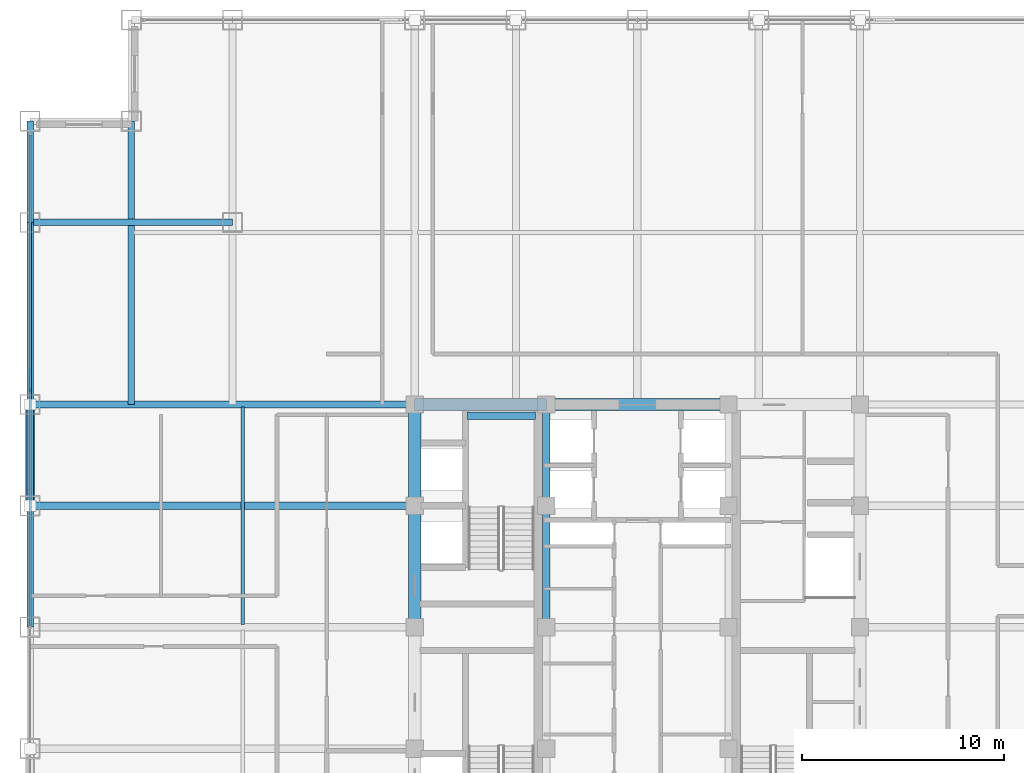
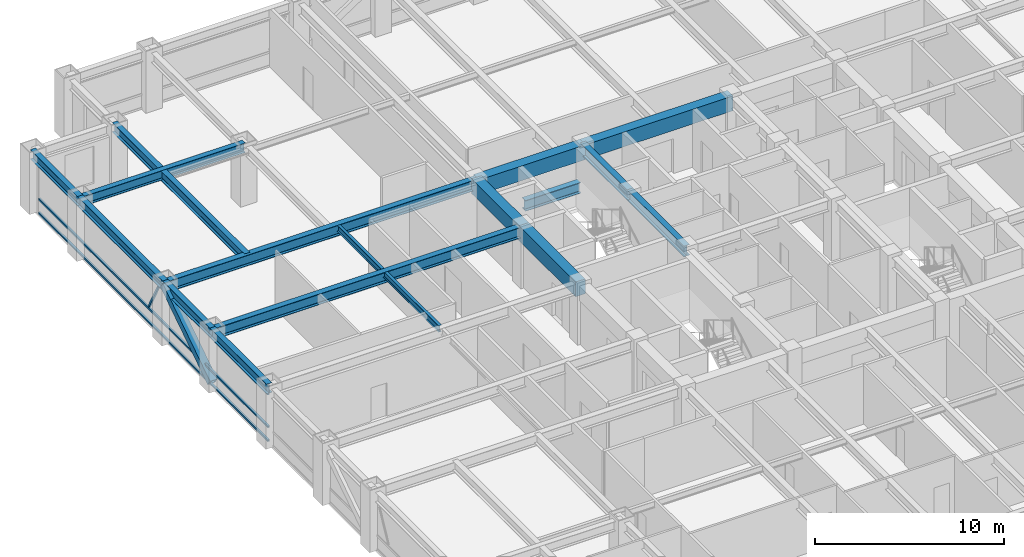
# One storey, part 11 of 24: 16 beams, 5 members, 1 element without a shape of its own.
"""IFC4 building model written with IfcOpenShell, lengths in metres."""

import ifcopenshell
import ifcopenshell.guid

model = None  # the IFC model being written
_history = None  # IfcOwnerHistory: only IFC2X3 demands one
_inside = {}  # id of a spatial element -> (the spatial element, [elements in it])
_under = {}  # id of a project, library or spatial element -> (it, [spatial elements below it])
_declared = {}  # id of a project -> (the project, [libraries it declares])
_typed = {}  # id of a type object -> (the type object, [elements of that type])
_made_of = {}  # id of a material, layer set ... -> (it, [elements and type objects made of it])


def new_model(schema):
    """Start an empty IFC model of exactly this schema.

    Asked for "IFC4X3", IfcOpenShell would pick the latest addendum, in which some entities
    have other attributes; the version numbers below select the first issue.
    IFC2X3 requires an IfcOwnerHistory on every rooted entity: one is made here for all.
    """
    global model, _history
    if schema == "IFC4X3":
        model = ifcopenshell.file(schema_version=(4, 3, 0, 0))
    else:
        model = ifcopenshell.file(schema=schema)
    _inside.clear()
    _under.clear()
    _declared.clear()
    _typed.clear()
    _made_of.clear()
    _history = None
    if model.schema == "IFC2X3":
        org = make("IfcOrganization", Name="unknown")
        user = make(
            "IfcPersonAndOrganization",
            ThePerson=make("IfcPerson", FamilyName="unknown"),
            TheOrganization=org,
        )
        app = make(
            "IfcApplication",
            ApplicationDeveloper=org,
            Version="unknown",
            ApplicationFullName="unknown",
            ApplicationIdentifier="unknown",
        )
        _history = make(
            "IfcOwnerHistory",
            OwningUser=user,
            OwningApplication=app,
            ChangeAction="ADDED",
            CreationDate=0,
        )
    return model


def make(cls, **values):
    """One entity of the class cls with the attributes given. An attribute that is None is left unset."""
    return model.create_entity(
        cls, **{name: value for name, value in values.items() if value is not None}
    )


def rooted(cls, **values):
    """An entity with a GlobalId (a new one), such as an element, a storey or a relation."""
    return make(cls, GlobalId=ifcopenshell.guid.new(), OwnerHistory=_history, **values)


def si_unit(unit_type, name, prefix=None):
    """IfcSIUnit, for example si_unit("LENGTHUNIT", "METRE", prefix="MILLI")."""
    return make("IfcSIUnit", UnitType=unit_type, Prefix=prefix, Name=name)


def assignment(units):
    """IfcUnitAssignment: the units of a project."""
    return None if units is None else make("IfcUnitAssignment", Units=units)


def point(xyz):
    """IfcCartesianPoint."""
    return None if xyz is None else make("IfcCartesianPoint", Coordinates=xyz)


def direction(xyz):
    """IfcDirection."""
    return None if xyz is None else make("IfcDirection", DirectionRatios=xyz)


def frame(location, z_axis=None, x_axis=None):
    """IfcAxis2Placement3D, a coordinate frame: its origin and axes. An axis left out is left unset."""
    return make(
        "IfcAxis2Placement3D",
        Location=point(location),
        Axis=direction(z_axis),
        RefDirection=direction(x_axis),
    )


def frame_2d(location, x_axis=None):
    """IfcAxis2Placement2D, a coordinate frame in the plane: its origin and x axis."""
    return make(
        "IfcAxis2Placement2D", Location=point(location), RefDirection=direction(x_axis)
    )


def origin():
    """The frame at (0, 0, 0) with its axes left unset."""
    return frame((0.0, 0.0, 0.0))


def origin_2d():
    """The frame at (0, 0) in the plane with its x axis left unset."""
    return frame_2d((0.0, 0.0))


def place(relative_to, where):
    """IfcLocalPlacement: puts the frame where relative to a parent placement (None: the world)."""
    return make(
        "IfcLocalPlacement", PlacementRelTo=relative_to, RelativePlacement=where
    )


def context(
    kind, dimensions, precision=None, world=None, true_north=None, identifier=None
):
    """IfcGeometricRepresentationContext, for example the 3D "Model" context."""
    return make(
        "IfcGeometricRepresentationContext",
        ContextIdentifier=identifier,
        ContextType=kind,
        CoordinateSpaceDimension=dimensions,
        Precision=precision,
        WorldCoordinateSystem=world,
        TrueNorth=true_north,
    )


def subcontext(parent, identifier, kind, view, scale=None):
    """IfcGeometricRepresentationSubContext, for example "Body" below "Model"."""
    return make(
        "IfcGeometricRepresentationSubContext",
        ContextIdentifier=identifier,
        ContextType=kind,
        ParentContext=parent,
        TargetScale=scale,
        TargetView=view,
    )


def project(units=None, contexts=None):
    """IfcProject with its units and contexts."""
    return rooted(
        "IfcProject",
        Name="project",
        RepresentationContexts=contexts,
        UnitsInContext=assignment(units),
    )


def spatial(cls, under=None, at=None, **own):
    """A site, building, storey or space (cls), placed at a placement, below another one or the project."""
    s = rooted(cls, ObjectPlacement=at, **own)
    if under is not None:
        _under.setdefault(under.id(), (under, []))[1].append(s)
    return s


def profile(cls, at=None, kind="AREA", **sizes):
    """A parametric profile (cls). Its sizes go by their IFC names, for example OverallWidth=200.0."""
    return make(cls, ProfileType=kind, Position=at, **sizes)


def rectangle(**sizes):
    """IfcRectangleProfileDef."""
    return profile("IfcRectangleProfileDef", **sizes)


def hollow_rectangle(**sizes):
    """IfcRectangleHollowProfileDef."""
    return profile("IfcRectangleHollowProfileDef", **sizes)


def i_section(**sizes):
    """IfcIShapeProfileDef."""
    return profile("IfcIShapeProfileDef", **sizes)


def extrude(swept, where, along, depth):
    """IfcExtrudedAreaSolid: the profile swept, set in the frame where, extruded along a direction by depth."""
    return make(
        "IfcExtrudedAreaSolid",
        SweptArea=swept,
        Position=where,
        ExtrudedDirection=direction(along),
        Depth=depth,
    )


def shape(context_of_items, identifier, shape_type, items):
    """IfcShapeRepresentation: the items that make up one representation, for example the "Body"."""
    return make(
        "IfcShapeRepresentation",
        ContextOfItems=context_of_items,
        RepresentationIdentifier=identifier,
        RepresentationType=shape_type,
        Items=items,
    )


def source(mapping_origin, context_of_items, identifier, shape_type, items):
    """IfcRepresentationMap: a shape defined once, which mapped items show again and again."""
    return make(
        "IfcRepresentationMap",
        MappingOrigin=mapping_origin,
        MappedRepresentation=shape(context_of_items, identifier, shape_type, items),
    )


def transform(
    local_origin,
    x_axis=None,
    y_axis=None,
    z_axis=None,
    scale=None,
    scale2=None,
    scale3=None,
    uniform=True,
):
    """IfcCartesianTransformationOperator3D, or its non-uniform kind. x_axis, y_axis, z_axis: its Axis1, 2, 3."""
    if uniform:
        return make(
            "IfcCartesianTransformationOperator3D",
            Axis1=direction(x_axis),
            Axis2=direction(y_axis),
            LocalOrigin=point(local_origin),
            Scale=scale,
            Axis3=direction(z_axis),
        )
    return make(
        "IfcCartesianTransformationOperator3DnonUniform",
        Axis1=direction(x_axis),
        Axis2=direction(y_axis),
        LocalOrigin=point(local_origin),
        Scale=scale,
        Axis3=direction(z_axis),
        Scale2=scale2,
        Scale3=scale3,
    )


def mapped(mapping_source, mapping_target):
    """IfcMappedItem: shows the shape of a source again, moved by a transform."""
    return make(
        "IfcMappedItem", MappingSource=mapping_source, MappingTarget=mapping_target
    )


def material(Name=None, Category=None):
    """IfcMaterial."""
    return make("IfcMaterial", Name=Name, Category=Category)


def material_profile(
    of_material, cross_section, Name=None, Category=None, Priority=None
):
    """IfcMaterialProfile: a cross section and its material."""
    return make(
        "IfcMaterialProfile",
        Name=Name,
        Material=of_material,
        Profile=cross_section,
        Priority=Priority,
        Category=Category,
    )


def profile_set(profiles, Name=None, composite=None):
    """IfcMaterialProfileSet."""
    return make(
        "IfcMaterialProfileSet",
        Name=Name,
        MaterialProfiles=profiles,
        CompositeProfile=composite,
    )


def made_of(thing, what):
    """Note that an element or type object is made of a material, layer set ...; save() writes the relation."""
    if what is not None:
        _made_of.setdefault(what.id(), (what, []))[1].append(thing)
    return thing


def type_object(cls, material=None, **own):
    """A type object (cls), such as IfcWallType, which elements share."""
    return made_of(rooted(cls, **own), material)


def element(
    cls,
    number,
    at=None,
    inside=None,
    cuts=None,
    type_object=None,
    material=None,
    context=None,
    identifier="Body",
    shape_type=None,
    held_by="IfcProductDefinitionShape",
    body=None,
    shapes=None,
    **own,
):
    """One element of the class cls, such as IfcWall. Its Tag is "e" and its number.

    at: its placement. inside: the storey or other place that contains it. cuts: it is an
    opening in that element (IfcRelVoidsElement). A single representation is given by context,
    identifier, shape_type and body (its items); several are given by shapes. held_by: the class
    of the entity that holds the representations. save() writes the other relations.
    """
    e = rooted(cls, Tag="e%d" % number, ObjectPlacement=at, **own)
    if body is not None:
        shapes = [shape(context, identifier, shape_type, body)]
    if shapes is not None:
        e.Representation = make(held_by, Representations=shapes)
    if inside is not None:
        _inside.setdefault(inside.id(), (inside, []))[1].append(e)
    if cuts is not None:
        rooted(
            "IfcRelVoidsElement", RelatingBuildingElement=cuts, RelatedOpeningElement=e
        )
    if type_object is not None:
        _typed.setdefault(type_object.id(), (type_object, []))[1].append(e)
    return made_of(e, material)


def aggregate(whole, parts):
    """IfcRelAggregates: a whole, such as a stair, and the parts it consists of."""
    return rooted("IfcRelAggregates", RelatingObject=whole, RelatedObjects=parts)


def save(model, path):
    """Write the relations noted so far, then the file.

    IfcRelAggregates (storeys below a building ...), IfcRelContainedInSpatialStructure (elements
    in a storey), IfcRelDefinesByType, IfcRelAssociatesMaterial and IfcRelDeclares: one each for
    every whole, place, type object, material and project.
    """
    for whole, parts in _under.values():
        aggregate(whole, parts)
    for where, things in _inside.values():
        rooted(
            "IfcRelContainedInSpatialStructure",
            RelatedElements=things,
            RelatingStructure=where,
        )
    for kind, things in _typed.values():
        rooted("IfcRelDefinesByType", RelatedObjects=things, RelatingType=kind)
    for what, things in _made_of.values():
        rooted("IfcRelAssociatesMaterial", RelatedObjects=things, RelatingMaterial=what)
    for by, libraries in _declared.values():
        rooted("IfcRelDeclares", RelatingContext=by, RelatedDefinitions=libraries)
    model.write(path)


model = new_model("IFC4")

# Units and contexts
model_context = context("Model", 3, precision=1e-05, world=origin(), true_north=direction((0.0, 1.0)))
body_context = subcontext(model_context, "Body", "Model", "MODEL_VIEW")
ifc_project = project(units=[si_unit("LENGTHUNIT", "METRE"), si_unit("AREAUNIT", "SQUARE_METRE"), si_unit("VOLUMEUNIT", "CUBIC_METRE"), si_unit("PLANEANGLEUNIT", "RADIAN"), si_unit("MASSUNIT", "GRAM", prefix="KILO")], contexts=[model_context])

# Site, building, storey
site_placement = place(None, origin())
site = spatial("IfcSite", under=ifc_project, at=site_placement, CompositionType="ELEMENT")
building_placement = place(site_placement, origin())
building = spatial("IfcBuilding", under=site, at=building_placement, Name="Khorayat Bourse Tower", CompositionType="ELEMENT")
storey_placement = place(building_placement, frame((0.0, 0.0, 219.10009765625)))
storey = spatial("IfcBuildingStorey", under=building, at=storey_placement, Name="L51", CompositionType="ELEMENT", Elevation=219.10009765625)

# Beams
ifc_material_1 = material(Name="Steel ASTM A992 Grade 50", Category="steel")
ifc_material_profile_1 = material_profile(ifc_material_1, i_section(OverallWidth=0.35498046875, OverallDepth=0.695068359375, WebThickness=0.015380859375, FlangeThickness=0.02490234375, FilletRadius=0.01806640625, at=origin_2d()), Name="W690X217")
ifc_profile_set_1 = profile_set([ifc_material_profile_1], Name="Steel ASTM A992 Grade 50")
beam_type_1 = type_object("IfcBeamType", Name="BM-GIRD-690", PredefinedType="BEAM", material=ifc_profile_set_1)
shared_shape_1 = source(origin(), body_context, "Body", "SweptSolid", [
    extrude(i_section(OverallWidth=0.35498046875, OverallDepth=0.695068359375, WebThickness=0.015380859375, FlangeThickness=0.02490234375, FilletRadius=0.01806640625, at=origin_2d()), origin(), (0.0, 0.0, 1.0), 5.0),
])
beam_1_placement = place(storey_placement, frame((-4.5, 6.0, 3.432373046875), z_axis=(0.0, 1.0, 0.0), x_axis=(-1.0, 0.0, 0.0)))
element("IfcBeam", 1, at=beam_1_placement, inside=storey, type_object=beam_type_1, Name="L51 BM-GIRD-690 BM-L51-CRX-08", PredefinedType="BEAM", context=body_context, shape_type="MappedRepresentation", body=[
    mapped(shared_shape_1, transform((0.0, 0.0, 0.0), scale=1.0)),
])
shared_shape_2 = source(origin(), body_context, "Body", "SweptSolid", [
    extrude(i_section(OverallWidth=0.35498046875, OverallDepth=0.695068359375, WebThickness=0.015380859375, FlangeThickness=0.02490234375, FilletRadius=0.01806640625, at=origin_2d()), origin(), (0.0, 0.0, 1.0), 6.0),
])
beam_2_placement = place(storey_placement, frame((-4.5, 0.0, 3.432373046875), z_axis=(0.0, 1.0, 0.0), x_axis=(-1.0, 0.0, 0.0)))
element("IfcBeam", 2, at=beam_2_placement, inside=storey, type_object=beam_type_1, Name="L51 BM-GIRD-690 BM-L51-CRX-07", PredefinedType="BEAM", context=body_context, shape_type="MappedRepresentation", body=[
    mapped(shared_shape_2, transform((0.0, 0.0, 0.0), scale=1.0)),
])
shared_shape_3 = source(origin(), body_context, "Body", "SweptSolid", [
    extrude(i_section(OverallWidth=0.35498046875, OverallDepth=0.695068359375, WebThickness=0.015380859375, FlangeThickness=0.02490234375, FilletRadius=0.01806640625, at=origin_2d()), origin(), (0.0, 0.0, 1.0), 3.39990234375),
])
beam_3_placement = place(storey_placement, frame((-8.419921875, 10.449951171875, 1.452392578125), z_axis=(1.0, 0.0, 0.0), x_axis=(0.0, 1.0, 0.0)))
element("IfcBeam", 3, at=beam_3_placement, inside=storey, type_object=beam_type_1, Name="L51 BM-GIRD-690 BM-L51-ST2L", PredefinedType="BEAM", context=body_context, shape_type="MappedRepresentation", body=[
    mapped(shared_shape_3, transform((0.0, 0.0, 0.0), scale=1.0)),
])
ifc_material_profile_2 = material_profile(ifc_material_1, i_section(OverallWidth=0.324951171875, OverallDepth=0.615966796875, WebThickness=0.013916015625, FlangeThickness=0.021484375, FilletRadius=0.01611328125, at=origin_2d()), Name="W610X174")
ifc_profile_set_2 = profile_set([ifc_material_profile_2], Name="Steel ASTM A992 Grade 50")
beam_type_2 = type_object("IfcBeamType", Name="BM-GIRD-610", PredefinedType="BEAM", material=ifc_profile_set_2)
shared_shape_4 = source(origin(), body_context, "Body", "SweptSolid", [
    extrude(i_section(OverallWidth=0.324951171875, OverallDepth=0.615966796875, WebThickness=0.013916015625, FlangeThickness=0.021484375, FilletRadius=0.01611328125, at=origin_2d()), origin(), (0.0, 0.0, 1.0), 10.0),
])
beam_4_placement = place(storey_placement, frame((-30.0, 20.0, 3.471923828125), z_axis=(1.0, 0.0, 0.0), x_axis=(0.0, 1.0, 0.0)))
element("IfcBeam", 4, at=beam_4_placement, inside=storey, type_object=beam_type_2, Name="L51 BM-GIRD-610 BM-L51-CNRX-095", PredefinedType="BEAM", context=body_context, shape_type="MappedRepresentation", body=[
    mapped(shared_shape_4, transform((0.0, 0.0, 0.0), scale=1.0)),
])
ifc_material_profile_3 = material_profile(ifc_material_1, i_section(OverallWidth=0.180908203125, OverallDepth=0.4169921875, WebThickness=0.010986328125, FlangeThickness=0.018310546875, FilletRadius=0.011962890625, at=origin_2d()), Name="W410X85")
ifc_profile_set_3 = profile_set([ifc_material_profile_3], Name="Steel ASTM A992 Grade 50")
beam_type_3 = type_object("IfcBeamType", Name="BM-JOIST-410", PredefinedType="JOIST", material=ifc_profile_set_3)
shared_shape_5 = source(origin(), body_context, "Body", "SweptSolid", [
    extrude(i_section(OverallWidth=0.180908203125, OverallDepth=0.4169921875, WebThickness=0.010986328125, FlangeThickness=0.018310546875, FilletRadius=0.011962890625, at=origin_2d()), origin(), (0.0, 0.0, 1.0), 10.740234375),
])
beam_5_placement = place(storey_placement, frame((-19.5, 0.1298828125, 3.5712890625), z_axis=(0.0, 1.0, 0.0), x_axis=(-1.0, 0.0, 0.0)))
element("IfcBeam", 5, at=beam_5_placement, inside=storey, type_object=beam_type_3, Name="L51 BM-JOIST-410 BM-L51-JSTY-103", PredefinedType="JOIST", context=body_context, shape_type="MappedRepresentation", body=[
    mapped(shared_shape_5, transform((0.0, 0.0, 0.0), scale=1.0)),
])
ifc_material_profile_4 = material_profile(ifc_material_1, i_section(OverallWidth=0.324951171875, OverallDepth=0.615966796875, WebThickness=0.013916015625, FlangeThickness=0.021484375, FilletRadius=0.01611328125, at=origin_2d()), Name="W610X174")
ifc_profile_set_4 = profile_set([ifc_material_profile_4], Name="Steel ASTM A992 Grade 50")
beam_type_4 = type_object("IfcBeamType", Name="BM-SPAN-610", PredefinedType="SPANDREL", material=ifc_profile_set_4)
shared_shape_6 = source(origin(), body_context, "Body", "SweptSolid", [
    extrude(i_section(OverallWidth=0.324951171875, OverallDepth=0.615966796875, WebThickness=0.013916015625, FlangeThickness=0.021484375, FilletRadius=0.01611328125, at=origin_2d()), origin(), (0.0, 0.0, 1.0), 9.0),
])
beam_6_placement = place(storey_placement, frame((-30.0, 11.0, 3.471923828125), z_axis=(0.0, 1.0, 0.0), x_axis=(-1.0, 0.0, 0.0)))
element("IfcBeam", 6, at=beam_6_placement, inside=storey, type_object=beam_type_4, Name="L51 BM-SPAN-610 BM-L51-SPN-055", PredefinedType="SPANDREL", context=body_context, shape_type="MappedRepresentation", body=[
    mapped(shared_shape_6, transform((0.0, 0.0, 0.0), scale=1.0)),
])
shared_shape_7 = source(origin(), body_context, "Body", "SweptSolid", [
    extrude(i_section(OverallWidth=0.324951171875, OverallDepth=0.615966796875, WebThickness=0.013916015625, FlangeThickness=0.021484375, FilletRadius=0.01611328125, at=origin_2d()), origin(), (0.0, 0.0, 1.0), 5.0),
])
for number, where, z_axis, x_axis, name in (
    (7, (-30.0, 20.0, 3.471923828125), (0.0, 1.0, 0.0), (-1.0, 0.0, 0.0), "L51 BM-SPAN-610 BM-L51-SPN-054"),
    (8, (-30.0, 6.0, 3.471923828125), (0.0, 1.0, 0.0), (-1.0, 0.0, 0.0), "L51 BM-SPAN-610 BM-L51-SPN-056"),
):
    element("IfcBeam", number, at=place(storey_placement, frame(where, z_axis=z_axis, x_axis=x_axis)), inside=storey, type_object=beam_type_4, Name=name, PredefinedType="SPANDREL", context=body_context, shape_type="MappedRepresentation", body=[
        mapped(shared_shape_7, transform((0.0, 0.0, 0.0), scale=1.0)),
    ])
shared_shape_8 = source(origin(), body_context, "Body", "SweptSolid", [
    extrude(i_section(OverallWidth=0.324951171875, OverallDepth=0.615966796875, WebThickness=0.013916015625, FlangeThickness=0.021484375, FilletRadius=0.01611328125, at=origin_2d()), origin(), (0.0, 0.0, 1.0), 6.0),
])
beam_7_placement = place(storey_placement, frame((-30.0, 0.0, 3.471923828125), z_axis=(0.0, 1.0, 0.0), x_axis=(-1.0, 0.0, 0.0)))
element("IfcBeam", 9, at=beam_7_placement, inside=storey, type_object=beam_type_4, Name="L51 BM-SPAN-610 BM-L51-SPN-057", PredefinedType="SPANDREL", context=body_context, shape_type="MappedRepresentation", body=[
    mapped(shared_shape_8, transform((0.0, 0.0, 0.0), scale=1.0)),
])
ifc_material_2 = material(Name="Concrete C60/75", Category="concrete")
ifc_material_profile_5 = material_profile(ifc_material_2, rectangle(XDim=0.60009765625, YDim=0.949951171875, at=origin_2d()), Name="RC 600x950")
ifc_profile_set_5 = profile_set([ifc_material_profile_5], Name="Concrete C60/75")
beam_type_5 = type_object("IfcBeamType", Name="BM-COUP-950", PredefinedType="BEAM", material=ifc_profile_set_5)
shared_shape_9 = source(origin(), body_context, "Body", "SweptSolid", [
    extrude(rectangle(XDim=0.60009765625, YDim=0.949951171875, at=origin_2d()), origin(), (0.0, 0.0, 1.0), 5.0),
])
beam_8_placement = place(storey_placement, frame((-11.0, 6.0, 3.304931640625), z_axis=(0.0, 1.0, 0.0), x_axis=(-1.0, 0.0, 0.0)))
element("IfcBeam", 10, at=beam_8_placement, inside=storey, type_object=beam_type_5, Name="L51 BM-COUP-950 BM-L51-CRX-04", PredefinedType="BEAM", context=body_context, shape_type="MappedRepresentation", body=[
    mapped(shared_shape_9, transform((0.0, 0.0, 0.0), scale=1.0)),
])
shared_shape_10 = source(origin(), body_context, "Body", "SweptSolid", [
    extrude(rectangle(XDim=0.60009765625, YDim=0.949951171875, at=origin_2d()), origin(), (0.0, 0.0, 1.0), 6.0),
])
beam_9_placement = place(storey_placement, frame((-11.0, 0.0, 3.304931640625), z_axis=(0.0, 1.0, 0.0), x_axis=(-1.0, 0.0, 0.0)))
element("IfcBeam", 11, at=beam_9_placement, inside=storey, type_object=beam_type_5, Name="L51 BM-COUP-950 BM-L51-CRX-03", PredefinedType="BEAM", context=body_context, shape_type="MappedRepresentation", body=[
    mapped(shared_shape_10, transform((0.0, 0.0, 0.0), scale=1.0)),
])
shared_shape_11 = source(origin(), body_context, "Body", "SweptSolid", [
    extrude(rectangle(XDim=0.60009765625, YDim=0.949951171875, at=origin_2d()), origin(), (0.0, 0.0, 1.0), 6.5),
])
beam_10_placement = place(storey_placement, frame((-11.0, 11.0, 3.304931640625), z_axis=(1.0, 0.0, 0.0), x_axis=(0.0, 1.0, 0.0)))
element("IfcBeam", 12, at=beam_10_placement, inside=storey, type_object=beam_type_5, Name="L51 BM-COUP-950 BM-L51-CRY-20", PredefinedType="BEAM", context=body_context, shape_type="MappedRepresentation", body=[
    mapped(shared_shape_11, transform((0.0, 0.0, 0.0), scale=1.0)),
])
shared_shape_12 = source(origin(), body_context, "Body", "SweptSolid", [
    extrude(rectangle(XDim=0.60009765625, YDim=0.949951171875, at=origin_2d()), origin(), (0.0, 0.0, 1.0), 9.0),
])
beam_11_placement = place(storey_placement, frame((-4.5, 11.0, 3.304931640625), z_axis=(1.0, 0.0, 0.0), x_axis=(0.0, 1.0, 0.0)))
element("IfcBeam", 13, at=beam_11_placement, inside=storey, type_object=beam_type_5, Name="L51 BM-COUP-950 BM-L51-CRY-21", PredefinedType="BEAM", context=body_context, shape_type="MappedRepresentation", body=[
    mapped(shared_shape_12, transform((0.0, 0.0, 0.0), scale=1.0)),
])
shared_shape_13 = source(origin(), body_context, "Body", "SweptSolid", [
    extrude(i_section(OverallWidth=0.35498046875, OverallDepth=0.695068359375, WebThickness=0.015380859375, FlangeThickness=0.02490234375, FilletRadius=0.01806640625, at=origin_2d()), origin(), (0.0, 0.0, 1.0), 19.0),
])
for number, where, z_axis, x_axis, name in (
    (14, (-30.0, 6.0, 3.432373046875), (1.0, 0.0, 0.0), (0.0, 1.0, 0.0), "L51 BM-GIRD-690 BM-L51-RADX-081"),
    (15, (-30.0, 11.0, 3.432373046875), (1.0, 0.0, 0.0), (0.0, 1.0, 0.0), "L51 BM-GIRD-690 BM-L51-RADX-083"),
):
    element("IfcBeam", number, at=place(storey_placement, frame(where, z_axis=z_axis, x_axis=x_axis)), inside=storey, type_object=beam_type_1, Name=name, PredefinedType="BEAM", context=body_context, shape_type="MappedRepresentation", body=[
        mapped(shared_shape_13, transform((0.0, 0.0, 0.0), scale=1.0)),
    ])
shared_shape_14 = source(origin(), body_context, "Body", "SweptSolid", [
    extrude(i_section(OverallWidth=0.324951171875, OverallDepth=0.615966796875, WebThickness=0.013916015625, FlangeThickness=0.021484375, FilletRadius=0.01611328125, at=origin_2d()), origin(), (0.0, 0.0, 1.0), 14.0),
])
beam_12_placement = place(storey_placement, frame((-25.0, 11.0, 3.471923828125), z_axis=(0.0, 1.0, 0.0), x_axis=(-1.0, 0.0, 0.0)))
element("IfcBeam", 16, at=beam_12_placement, inside=storey, type_object=beam_type_2, Name="L51 BM-GIRD-610 BM-L51-CNRY-089", PredefinedType="BEAM", context=body_context, shape_type="MappedRepresentation", body=[
    mapped(shared_shape_14, transform((0.0, 0.0, 0.0), scale=1.0)),
])

# Member
ifc_material_3 = material(Name="Steel EN 10025-4 S460M", Category="steel")
ifc_material_profile_6 = material_profile(ifc_material_3, hollow_rectangle(XDim=0.449951171875, YDim=0.449951171875, WallThickness=0.02490234375, at=origin_2d()), Name="HSS 450x450x25")
ifc_profile_set_6 = profile_set([ifc_material_profile_6], Name="Steel EN 10025-4 S460M")
member_type_1 = type_object("IfcMemberType", Name="MBR-TUBE-450", PredefinedType="BRACE", material=ifc_profile_set_6)
shared_shape_15 = source(origin(), body_context, "Body", "SweptSolid", [
    extrude(hollow_rectangle(XDim=0.449951171875, YDim=0.449951171875, WallThickness=0.02490234375, at=origin_2d()), origin(), (0.0, 0.0, 1.0), 5.979736328125),
])
member_1_placement = place(storey_placement, frame((-30.0, 6.0, 0.25), z_axis=(0.0, 0.836160261256, 0.548485202623), x_axis=(-1.0, 0.0, 0.0)))
element("IfcMember", 17, at=member_1_placement, inside=storey, type_object=member_type_1, Name="L51 Perimeter Tube Brace 06", PredefinedType="BRACE", context=body_context, shape_type="MappedRepresentation", body=[
    mapped(shared_shape_15, transform((0.0, 0.0, 0.0), scale=1.0)),
])

# Curtain wall, members
ifc_material_4 = material(Name="Aluminium EN AW-6063 T6", Category="aluminium")
curtain_wall_type = type_object("IfcCurtainWallType", Name="CW-SYS-03", PredefinedType="NOTDEFINED", material=ifc_material_4)
curtain_wall_placement = place(storey_placement, origin())
curtain_wall = element("IfcCurtainWall", 18, at=curtain_wall_placement, inside=storey, type_object=curtain_wall_type, Name="L51 Curtain Wall CW-L51-W1", PredefinedType="NOTDEFINED")
ifc_material_profile_7 = material_profile(ifc_material_4, hollow_rectangle(XDim=0.1201171875, YDim=0.1201171875, WallThickness=0.0048828125, at=origin_2d()), Name="ALU 120x120x5")
ifc_profile_set_7 = profile_set([ifc_material_profile_7], Name="Aluminium EN AW-6063 T6")
member_type_2 = type_object("IfcMemberType", Name="CWM-DIAG-120", PredefinedType="MULLION", material=ifc_profile_set_7)
shared_shape_16 = source(origin(), body_context, "Body", "SweptSolid", [
    extrude(hollow_rectangle(XDim=0.1201171875, YDim=0.1201171875, WallThickness=0.0048828125, at=origin_2d()), origin(), (0.0, 0.0, 1.0), 2.079345703125),
])
member_2_placement = place(storey_placement, frame((-30.0, 12.67919921875, 1.08984375), z_axis=(0.0, -0.465760949701, 0.884910581773), x_axis=(1.0, 0.0, 0.0)))
member_2 = element("IfcMember", 19, at=member_2_placement, type_object=member_type_2, Name="CW-L51-W1 Faceted Diagonal Mullion 2", PredefinedType="MULLION", context=body_context, shape_type="MappedRepresentation", body=[
    mapped(shared_shape_16, transform((0.0, 0.0, 0.0), scale=1.0)),
])
ifc_material_profile_8 = material_profile(ifc_material_4, hollow_rectangle(XDim=0.1201171875, YDim=0.1201171875, WallThickness=0.0048828125, at=origin_2d()), Name="ALU 120x120x5")
ifc_profile_set_8 = profile_set([ifc_material_profile_8], Name="Aluminium EN AW-6063 T6")
member_type_3 = type_object("IfcMemberType", Name="CWT-HORZ-120", PredefinedType="USERDEFINED", material=ifc_profile_set_8)
shared_shape_17 = source(origin(), body_context, "Body", "SweptSolid", [
    extrude(hollow_rectangle(XDim=0.1201171875, YDim=0.1201171875, WallThickness=0.0048828125, at=origin_2d()), origin(), (0.0, 0.0, 1.0), 24.27001953125),
])
member_3_placement = place(storey_placement, frame((-30.0, 0.06005859375, 0.059814453125), z_axis=(0.0, 1.0, 0.0), x_axis=(-1.0, 0.0, 0.0)))
member_3 = element("IfcMember", 20, at=member_3_placement, type_object=member_type_3, Name="CW-L51-W1 Horizontal Transom 2-1", ObjectType="TRANSOM", PredefinedType="USERDEFINED", context=body_context, shape_type="MappedRepresentation", body=[
    mapped(shared_shape_17, transform((0.0, 0.0, 0.0), scale=1.0)),
])
member_4_placement = place(storey_placement, frame((-30.0, 0.06005859375, 0.949951171875), z_axis=(0.0, 1.0, 0.0), x_axis=(-1.0, 0.0, 0.0)))
member_4 = element("IfcMember", 21, at=member_4_placement, type_object=member_type_3, Name="CW-L51-W1 Horizontal Transom 2-2", ObjectType="TRANSOM", PredefinedType="USERDEFINED", context=body_context, shape_type="MappedRepresentation", body=[
    mapped(shared_shape_17, transform((0.0, 0.0, 0.0), scale=1.0)),
])
member_5_placement = place(storey_placement, frame((-30.0, 0.06005859375, 3.06982421875), z_axis=(0.0, 1.0, 0.0), x_axis=(-1.0, 0.0, 0.0)))
member_5 = element("IfcMember", 22, at=member_5_placement, type_object=member_type_3, Name="CW-L51-W1 Horizontal Transom 2-3", ObjectType="TRANSOM", PredefinedType="USERDEFINED", context=body_context, shape_type="MappedRepresentation", body=[
    mapped(shared_shape_17, transform((0.0, 0.0, 0.0), scale=1.0)),
])
aggregate(curtain_wall, [member_3, member_4, member_5, member_2])

save(model, "model.ifc")
